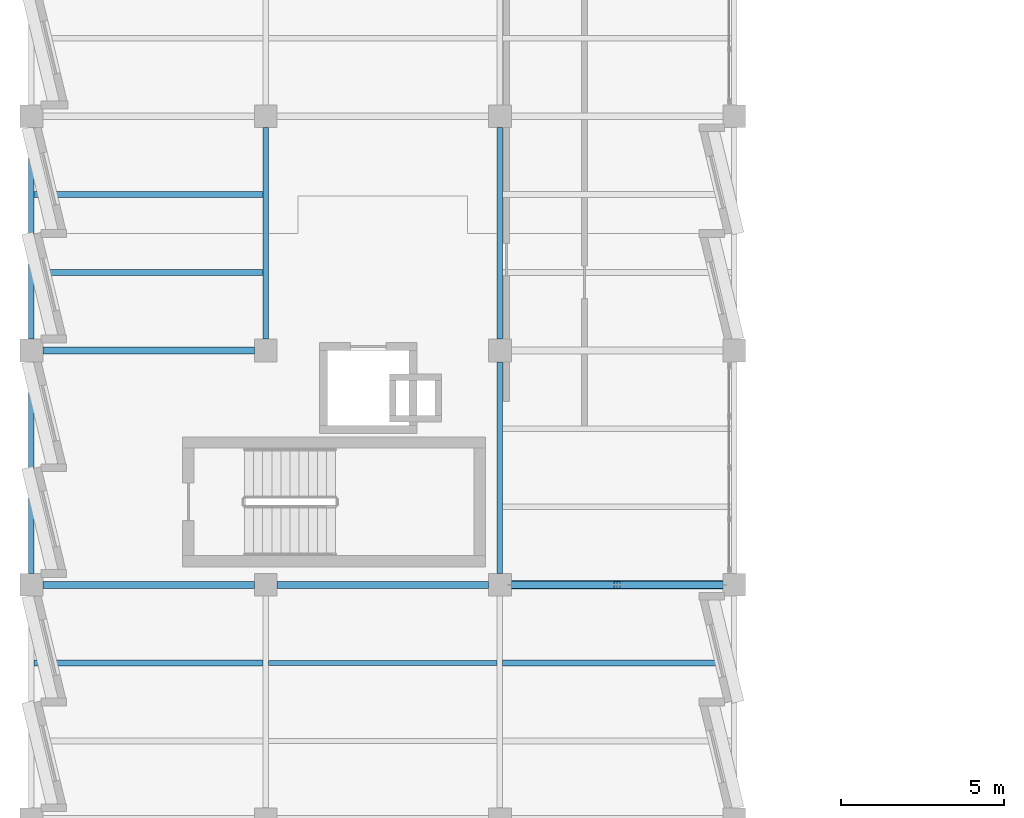
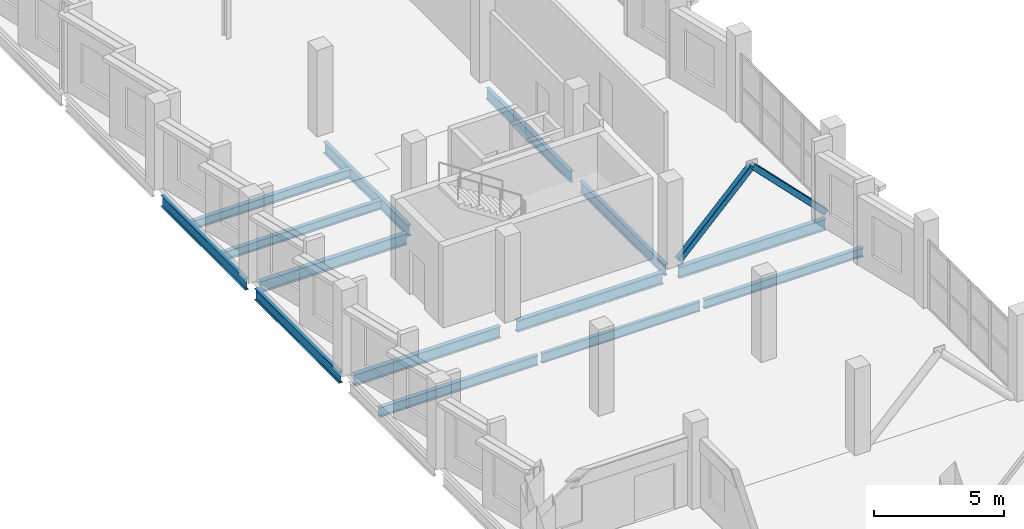
# One storey, part 12 of 33: 14 beams, 2 members.
"""IFC4 building model written with IfcOpenShell, lengths in metres."""

import ifcopenshell
import ifcopenshell.guid

model = None  # the IFC model being written
_history = None  # IfcOwnerHistory: only IFC2X3 demands one
_inside = {}  # id of a spatial element -> (the spatial element, [elements in it])
_under = {}  # id of a project, library or spatial element -> (it, [spatial elements below it])
_declared = {}  # id of a project -> (the project, [libraries it declares])
_typed = {}  # id of a type object -> (the type object, [elements of that type])
_made_of = {}  # id of a material, layer set ... -> (it, [elements and type objects made of it])


def new_model(schema):
    """Start an empty IFC model of exactly this schema.

    Asked for "IFC4X3", IfcOpenShell would pick the latest addendum, in which some entities
    have other attributes; the version numbers below select the first issue.
    IFC2X3 requires an IfcOwnerHistory on every rooted entity: one is made here for all.
    """
    global model, _history
    if schema == "IFC4X3":
        model = ifcopenshell.file(schema_version=(4, 3, 0, 0))
    else:
        model = ifcopenshell.file(schema=schema)
    _inside.clear()
    _under.clear()
    _declared.clear()
    _typed.clear()
    _made_of.clear()
    _history = None
    if model.schema == "IFC2X3":
        org = make("IfcOrganization", Name="unknown")
        user = make(
            "IfcPersonAndOrganization",
            ThePerson=make("IfcPerson", FamilyName="unknown"),
            TheOrganization=org,
        )
        app = make(
            "IfcApplication",
            ApplicationDeveloper=org,
            Version="unknown",
            ApplicationFullName="unknown",
            ApplicationIdentifier="unknown",
        )
        _history = make(
            "IfcOwnerHistory",
            OwningUser=user,
            OwningApplication=app,
            ChangeAction="ADDED",
            CreationDate=0,
        )
    return model


def make(cls, **values):
    """One entity of the class cls with the attributes given. An attribute that is None is left unset."""
    return model.create_entity(
        cls, **{name: value for name, value in values.items() if value is not None}
    )


def rooted(cls, **values):
    """An entity with a GlobalId (a new one), such as an element, a storey or a relation."""
    return make(cls, GlobalId=ifcopenshell.guid.new(), OwnerHistory=_history, **values)


def si_unit(unit_type, name, prefix=None):
    """IfcSIUnit, for example si_unit("LENGTHUNIT", "METRE", prefix="MILLI")."""
    return make("IfcSIUnit", UnitType=unit_type, Prefix=prefix, Name=name)


def assignment(units):
    """IfcUnitAssignment: the units of a project."""
    return None if units is None else make("IfcUnitAssignment", Units=units)


def point(xyz):
    """IfcCartesianPoint."""
    return None if xyz is None else make("IfcCartesianPoint", Coordinates=xyz)


def direction(xyz):
    """IfcDirection."""
    return None if xyz is None else make("IfcDirection", DirectionRatios=xyz)


def frame(location, z_axis=None, x_axis=None):
    """IfcAxis2Placement3D, a coordinate frame: its origin and axes. An axis left out is left unset."""
    return make(
        "IfcAxis2Placement3D",
        Location=point(location),
        Axis=direction(z_axis),
        RefDirection=direction(x_axis),
    )


def frame_2d(location, x_axis=None):
    """IfcAxis2Placement2D, a coordinate frame in the plane: its origin and x axis."""
    return make(
        "IfcAxis2Placement2D", Location=point(location), RefDirection=direction(x_axis)
    )


def origin():
    """The frame at (0, 0, 0) with its axes left unset."""
    return frame((0.0, 0.0, 0.0))


def origin_2d():
    """The frame at (0, 0) in the plane with its x axis left unset."""
    return frame_2d((0.0, 0.0))


def place(relative_to, where):
    """IfcLocalPlacement: puts the frame where relative to a parent placement (None: the world)."""
    return make(
        "IfcLocalPlacement", PlacementRelTo=relative_to, RelativePlacement=where
    )


def context(
    kind, dimensions, precision=None, world=None, true_north=None, identifier=None
):
    """IfcGeometricRepresentationContext, for example the 3D "Model" context."""
    return make(
        "IfcGeometricRepresentationContext",
        ContextIdentifier=identifier,
        ContextType=kind,
        CoordinateSpaceDimension=dimensions,
        Precision=precision,
        WorldCoordinateSystem=world,
        TrueNorth=true_north,
    )


def subcontext(parent, identifier, kind, view, scale=None):
    """IfcGeometricRepresentationSubContext, for example "Body" below "Model"."""
    return make(
        "IfcGeometricRepresentationSubContext",
        ContextIdentifier=identifier,
        ContextType=kind,
        ParentContext=parent,
        TargetScale=scale,
        TargetView=view,
    )


def project(units=None, contexts=None):
    """IfcProject with its units and contexts."""
    return rooted(
        "IfcProject",
        Name="project",
        RepresentationContexts=contexts,
        UnitsInContext=assignment(units),
    )


def spatial(cls, under=None, at=None, **own):
    """A site, building, storey or space (cls), placed at a placement, below another one or the project."""
    s = rooted(cls, ObjectPlacement=at, **own)
    if under is not None:
        _under.setdefault(under.id(), (under, []))[1].append(s)
    return s


def profile(cls, at=None, kind="AREA", **sizes):
    """A parametric profile (cls). Its sizes go by their IFC names, for example OverallWidth=200.0."""
    return make(cls, ProfileType=kind, Position=at, **sizes)


def hollow_rectangle(**sizes):
    """IfcRectangleHollowProfileDef."""
    return profile("IfcRectangleHollowProfileDef", **sizes)


def i_section(**sizes):
    """IfcIShapeProfileDef."""
    return profile("IfcIShapeProfileDef", **sizes)


def extrude(swept, where, along, depth):
    """IfcExtrudedAreaSolid: the profile swept, set in the frame where, extruded along a direction by depth."""
    return make(
        "IfcExtrudedAreaSolid",
        SweptArea=swept,
        Position=where,
        ExtrudedDirection=direction(along),
        Depth=depth,
    )


def shape(context_of_items, identifier, shape_type, items):
    """IfcShapeRepresentation: the items that make up one representation, for example the "Body"."""
    return make(
        "IfcShapeRepresentation",
        ContextOfItems=context_of_items,
        RepresentationIdentifier=identifier,
        RepresentationType=shape_type,
        Items=items,
    )


def material(Name=None, Category=None):
    """IfcMaterial."""
    return make("IfcMaterial", Name=Name, Category=Category)


def material_profile(
    of_material, cross_section, Name=None, Category=None, Priority=None
):
    """IfcMaterialProfile: a cross section and its material."""
    return make(
        "IfcMaterialProfile",
        Name=Name,
        Material=of_material,
        Profile=cross_section,
        Priority=Priority,
        Category=Category,
    )


def profile_set(profiles, Name=None, composite=None):
    """IfcMaterialProfileSet."""
    return make(
        "IfcMaterialProfileSet",
        Name=Name,
        MaterialProfiles=profiles,
        CompositeProfile=composite,
    )


def made_of(thing, what):
    """Note that an element or type object is made of a material, layer set ...; save() writes the relation."""
    if what is not None:
        _made_of.setdefault(what.id(), (what, []))[1].append(thing)
    return thing


def type_object(cls, material=None, **own):
    """A type object (cls), such as IfcWallType, which elements share."""
    return made_of(rooted(cls, **own), material)


def element(
    cls,
    number,
    at=None,
    inside=None,
    cuts=None,
    type_object=None,
    material=None,
    context=None,
    identifier="Body",
    shape_type=None,
    held_by="IfcProductDefinitionShape",
    body=None,
    shapes=None,
    **own,
):
    """One element of the class cls, such as IfcWall. Its Tag is "e" and its number.

    at: its placement. inside: the storey or other place that contains it. cuts: it is an
    opening in that element (IfcRelVoidsElement). A single representation is given by context,
    identifier, shape_type and body (its items); several are given by shapes. held_by: the class
    of the entity that holds the representations. save() writes the other relations.
    """
    e = rooted(cls, Tag="e%d" % number, ObjectPlacement=at, **own)
    if body is not None:
        shapes = [shape(context, identifier, shape_type, body)]
    if shapes is not None:
        e.Representation = make(held_by, Representations=shapes)
    if inside is not None:
        _inside.setdefault(inside.id(), (inside, []))[1].append(e)
    if cuts is not None:
        rooted(
            "IfcRelVoidsElement", RelatingBuildingElement=cuts, RelatedOpeningElement=e
        )
    if type_object is not None:
        _typed.setdefault(type_object.id(), (type_object, []))[1].append(e)
    return made_of(e, material)


def aggregate(whole, parts):
    """IfcRelAggregates: a whole, such as a stair, and the parts it consists of."""
    return rooted("IfcRelAggregates", RelatingObject=whole, RelatedObjects=parts)


def save(model, path):
    """Write the relations noted so far, then the file.

    IfcRelAggregates (storeys below a building ...), IfcRelContainedInSpatialStructure (elements
    in a storey), IfcRelDefinesByType, IfcRelAssociatesMaterial and IfcRelDeclares: one each for
    every whole, place, type object, material and project.
    """
    for whole, parts in _under.values():
        aggregate(whole, parts)
    for where, things in _inside.values():
        rooted(
            "IfcRelContainedInSpatialStructure",
            RelatedElements=things,
            RelatingStructure=where,
        )
    for kind, things in _typed.values():
        rooted("IfcRelDefinesByType", RelatedObjects=things, RelatingType=kind)
    for what, things in _made_of.values():
        rooted("IfcRelAssociatesMaterial", RelatedObjects=things, RelatingMaterial=what)
    for by, libraries in _declared.values():
        rooted("IfcRelDeclares", RelatingContext=by, RelatedDefinitions=libraries)
    model.write(path)


model = new_model("IFC4")

# Units and contexts
model_context = context("Model", 3, precision=1e-05, world=origin(), true_north=direction((0.0, 1.0)))
body_context = subcontext(model_context, "Body", "Model", "MODEL_VIEW")
ifc_project = project(units=[si_unit("LENGTHUNIT", "METRE"), si_unit("AREAUNIT", "SQUARE_METRE"), si_unit("VOLUMEUNIT", "CUBIC_METRE"), si_unit("PLANEANGLEUNIT", "RADIAN"), si_unit("MASSUNIT", "GRAM", prefix="KILO")], contexts=[model_context])

# Site, building, storey
site_placement = place(None, origin())
site = spatial("IfcSite", under=ifc_project, at=site_placement, CompositionType="ELEMENT")
building_placement = place(site_placement, origin())
building = spatial("IfcBuilding", under=site, at=building_placement, Name="Kalmorath City Hall", CompositionType="ELEMENT")
storey_placement = place(building_placement, frame((0.0, 0.0, 22.949951171875)))
storey = spatial("IfcBuildingStorey", under=building, at=storey_placement, Name="L05", CompositionType="ELEMENT", Elevation=22.949951171875)

# Beams
ifc_material_1 = material(Name="Steel ASTM A992 Grade 50", Category="steel")
ifc_material_profile_1 = material_profile(ifc_material_1, i_section(OverallWidth=0.180908203125, OverallDepth=0.4169921875, WebThickness=0.010986328125, FlangeThickness=0.018310546875, FilletRadius=0.012939453125, at=origin_2d()), Name="W16X57")
ifc_profile_set_1 = profile_set([ifc_material_profile_1], Name="Steel ASTM A992 Grade 50")
beam_type_1 = type_object("IfcBeamType", Name="Steel composite joist W16X57", PredefinedType="JOIST", material=ifc_profile_set_1)
for number, where, z_axis, x_axis, name in (
    (1, (0.08251953125, 60.0, -0.50244140625), (1.0, 0.0, 0.0), (0.0, 1.0, 0.0), "L05 joist SJ5 1.9.1"),
    (2, (0.08251953125, 62.39990234375, -0.50244140625), (1.0, 0.0, 0.0), (0.0, 1.0, 0.0), "L05 joist SJ5 1.9.2"),
):
    element("IfcBeam", number, at=place(storey_placement, frame(where, z_axis=z_axis, x_axis=x_axis)), inside=storey, type_object=beam_type_1, Name=name, PredefinedType="JOIST", context=body_context, shape_type="SweptSolid", body=[
        extrude(i_section(OverallWidth=0.180908203125, OverallDepth=0.4169921875, WebThickness=0.010986328125, FlangeThickness=0.018310546875, FilletRadius=0.012939453125, at=origin_2d()), origin(), (0.0, 0.0, 1.0), 7.033935546875),
    ])
beam_1_placement = place(storey_placement, frame((14.4833984375, 48.0, -0.50244140625), z_axis=(1.0, 0.0, 0.0), x_axis=(0.0, 1.0, 0.0)))
element("IfcBeam", 3, at=beam_1_placement, inside=storey, type_object=beam_type_1, Name="L05 joist SJ5 3.7.2", PredefinedType="JOIST", context=body_context, shape_type="SweptSolid", body=[
    extrude(i_section(OverallWidth=0.180908203125, OverallDepth=0.4169921875, WebThickness=0.010986328125, FlangeThickness=0.018310546875, FilletRadius=0.012939453125, at=origin_2d()), origin(), (0.0, 0.0, 1.0), 7.0341796875),
])
ifc_material_2 = material(Name="Steel ASTM A992 Grade 50", Category="steel")
ifc_material_profile_2 = material_profile(ifc_material_2, i_section(OverallWidth=0.153076171875, OverallDepth=0.455078125, WebThickness=0.008056640625, FlangeThickness=0.01318359375, FilletRadius=0.013916015625, at=origin_2d()), Name="W18X40")
ifc_profile_set_2 = profile_set([ifc_material_profile_2], Name="Steel ASTM A992 Grade 50")
beam_type_2 = type_object("IfcBeamType", Name="Steel composite joist W18X40", PredefinedType="JOIST", material=ifc_profile_set_2)
beam_2_placement = place(storey_placement, frame((7.283447265625, 48.0, -0.521484375), z_axis=(1.0, 0.0, 0.0), x_axis=(0.0, 1.0, 0.0)))
element("IfcBeam", 4, at=beam_2_placement, inside=storey, type_object=beam_type_2, Name="L05 joist SJ4 2.7.2", PredefinedType="JOIST", context=body_context, shape_type="SweptSolid", body=[
    extrude(i_section(OverallWidth=0.153076171875, OverallDepth=0.455078125, WebThickness=0.008056640625, FlangeThickness=0.01318359375, FilletRadius=0.013916015625, at=origin_2d()), origin(), (0.0, 0.0, 1.0), 7.032958984375),
])
ifc_material_3 = material(Name="Steel ASTM A992 Grade 50", Category="steel")
ifc_material_profile_3 = material_profile(ifc_material_3, i_section(OverallWidth=0.19091796875, OverallDepth=0.45703125, WebThickness=0.009033203125, FlangeThickness=0.014404296875, FilletRadius=0.013916015625, at=origin_2d()), Name="W18X50")
ifc_profile_set_3 = profile_set([ifc_material_profile_3], Name="Steel ASTM A992 Grade 50")
beam_type_3 = type_object("IfcBeamType", Name="Steel composite joist W18X50", PredefinedType="JOIST", material=ifc_profile_set_3)
beam_3_placement = place(storey_placement, frame((0.08251953125, 48.0, -0.5224609375), z_axis=(1.0, 0.0, 0.0), x_axis=(0.0, 1.0, 0.0)))
element("IfcBeam", 5, at=beam_3_placement, inside=storey, type_object=beam_type_3, Name="L05 joist SJ3 1.7.2", PredefinedType="JOIST", context=body_context, shape_type="SweptSolid", body=[
    extrude(i_section(OverallWidth=0.19091796875, OverallDepth=0.45703125, WebThickness=0.009033203125, FlangeThickness=0.014404296875, FilletRadius=0.013916015625, at=origin_2d()), origin(), (0.0, 0.0, 1.0), 7.033935546875),
])
ifc_material_4 = material(Name="Steel ASTM A992 Grade 50", Category="steel")
ifc_material_profile_4 = material_profile(ifc_material_4, i_section(OverallWidth=0.1669921875, OverallDepth=0.534912109375, WebThickness=0.01025390625, FlangeThickness=0.0166015625, FilletRadius=0.014892578125, at=origin_2d()), Name="W21X57")
ifc_profile_set_4 = profile_set([ifc_material_profile_4], Name="Steel ASTM A992 Grade 50")
beam_type_4 = type_object("IfcBeamType", Name="Steel floor beam W21X57", PredefinedType="BEAM", material=ifc_profile_set_4)
for number, where, z_axis, x_axis, name in (
    (6, (7.199951171875, 57.949951171875, -0.5615234375), (0.0, 1.0, 0.0), (-1.0, 0.0, 0.0), "L05 girder SB3 Y2/9-10"),
    (7, (14.39990234375, 50.75, -0.5615234375), (0.0, 1.0, 0.0), (-1.0, 0.0, 0.0), "L05 girder SB3 Y3/8-9"),
    (8, (14.39990234375, 57.949951171875, -0.5615234375), (0.0, 1.0, 0.0), (-1.0, 0.0, 0.0), "L05 girder SB3 Y3/9-10"),
):
    element("IfcBeam", number, at=place(storey_placement, frame(where, z_axis=z_axis, x_axis=x_axis)), inside=storey, type_object=beam_type_4, Name=name, PredefinedType="BEAM", context=body_context, shape_type="SweptSolid", body=[
        extrude(i_section(OverallWidth=0.1669921875, OverallDepth=0.534912109375, WebThickness=0.01025390625, FlangeThickness=0.0166015625, FilletRadius=0.014892578125, at=origin_2d()), origin(), (0.0, 0.0, 1.0), 6.5),
    ])
ifc_material_5 = material(Name="Steel ASTM A992 Grade 50", Category="steel")
ifc_material_profile_5 = material_profile(ifc_material_5, i_section(OverallWidth=0.208984375, OverallDepth=0.532958984375, WebThickness=0.01025390625, FlangeThickness=0.015625, FilletRadius=0.014892578125, at=origin_2d()), Name="W21X62")
ifc_profile_set_5 = profile_set([ifc_material_profile_5], Name="Steel ASTM A992 Grade 50")
beam_type_5 = type_object("IfcBeamType", Name="Steel floor beam W21X62", PredefinedType="BEAM", material=ifc_profile_set_5)
for number, where, z_axis, x_axis, name in (
    (9, (0.35009765625, 50.39990234375, -0.560546875), (1.0, 0.0, 0.0), (0.0, 1.0, 0.0), "L05 girder SB2 X1-2/8"),
    (10, (7.550048828125, 50.39990234375, -0.560546875), (1.0, 0.0, 0.0), (0.0, 1.0, 0.0), "L05 girder SB2 X2-3/8"),
    (11, (14.75, 50.39990234375, -0.560546875), (1.0, 0.0, 0.0), (0.0, 1.0, 0.0), "L05 girder SB2 X3-4/8"),
    (12, (0.35009765625, 57.60009765625, -0.560546875), (1.0, 0.0, 0.0), (0.0, 1.0, 0.0), "L05 girder SB2 X1-2/9"),
):
    element("IfcBeam", number, at=place(storey_placement, frame(where, z_axis=z_axis, x_axis=x_axis)), inside=storey, type_object=beam_type_5, Name=name, PredefinedType="BEAM", context=body_context, shape_type="SweptSolid", body=[
        extrude(i_section(OverallWidth=0.208984375, OverallDepth=0.532958984375, WebThickness=0.01025390625, FlangeThickness=0.015625, FilletRadius=0.014892578125, at=origin_2d()), origin(), (0.0, 0.0, 1.0), 6.5),
    ])

# Members
ifc_material_6 = material(Name="Steel ASTM A500 Grade C", Category="steel")
ifc_material_profile_6 = material_profile(ifc_material_6, hollow_rectangle(XDim=0.25390625, YDim=0.25390625, WallThickness=0.01171875, InnerFilletRadius=0.01171875, OuterFilletRadius=0.023681640625, at=origin_2d()), Name="HSS254X254X12.7")
ifc_profile_set_6 = profile_set([ifc_material_profile_6], Name="Steel ASTM A500 Grade C")
member_type = type_object("IfcMemberType", Name="Steel seismic chevron brace HSS254X254X12.7", PredefinedType="BRACE", material=ifc_profile_set_6)
for number, where, z_axis, x_axis, name in (
    (13, (14.75, 50.39990234375, 0.0), (0.701683305053, 0.0, 0.71248897494), (0.0, 1.0, 0.0), "L05 chevron brace BR1 3A"),
    (14, (21.25, 50.39990234375, 0.0), (-0.701683305053, 0.0, 0.71248897494), (0.0, -1.0, 0.0), "L05 chevron brace BR1 3B"),
):
    element("IfcMember", number, at=place(storey_placement, frame(where, z_axis=z_axis, x_axis=x_axis)), inside=storey, type_object=member_type, Name=name, PredefinedType="BRACE", context=body_context, shape_type="SweptSolid", body=[
        extrude(hollow_rectangle(XDim=0.25390625, YDim=0.25390625, WallThickness=0.01171875, InnerFilletRadius=0.01171875, OuterFilletRadius=0.023681640625, at=origin_2d()), origin(), (0.0, 0.0, 1.0), 4.6318359375),
    ])

# Beams
ifc_material_7 = material(Name="Steel ASTM A992 Grade 50", Category="steel")
ifc_material_profile_7 = material_profile(ifc_material_7, i_section(OverallWidth=0.1650390625, OverallDepth=0.52490234375, WebThickness=0.0087890625, FlangeThickness=0.011474609375, FilletRadius=0.014892578125, at=origin_2d()), Name="W21X44")
ifc_profile_set_7 = profile_set([ifc_material_profile_7], Name="Steel ASTM A992 Grade 50")
beam_type_6 = type_object("IfcBeamType", Name="Steel spandrel beam W21X44", PredefinedType="SPANDREL", material=ifc_profile_set_7)
for number, where, z_axis, x_axis, name in (
    (15, (0.0, 50.75, -0.556396484375), (0.0, 1.0, 0.0), (-1.0, 0.0, 0.0), "L05 girder SB4 Y1/8-9"),
    (16, (0.0, 57.949951171875, -0.556396484375), (0.0, 1.0, 0.0), (-1.0, 0.0, 0.0), "L05 girder SB4 Y1/9-10"),
):
    element("IfcBeam", number, at=place(storey_placement, frame(where, z_axis=z_axis, x_axis=x_axis)), inside=storey, type_object=beam_type_6, Name=name, PredefinedType="SPANDREL", context=body_context, shape_type="SweptSolid", body=[
        extrude(i_section(OverallWidth=0.1650390625, OverallDepth=0.52490234375, WebThickness=0.0087890625, FlangeThickness=0.011474609375, FilletRadius=0.014892578125, at=origin_2d()), origin(), (0.0, 0.0, 1.0), 6.5),
    ])

save(model, "model.ifc")
